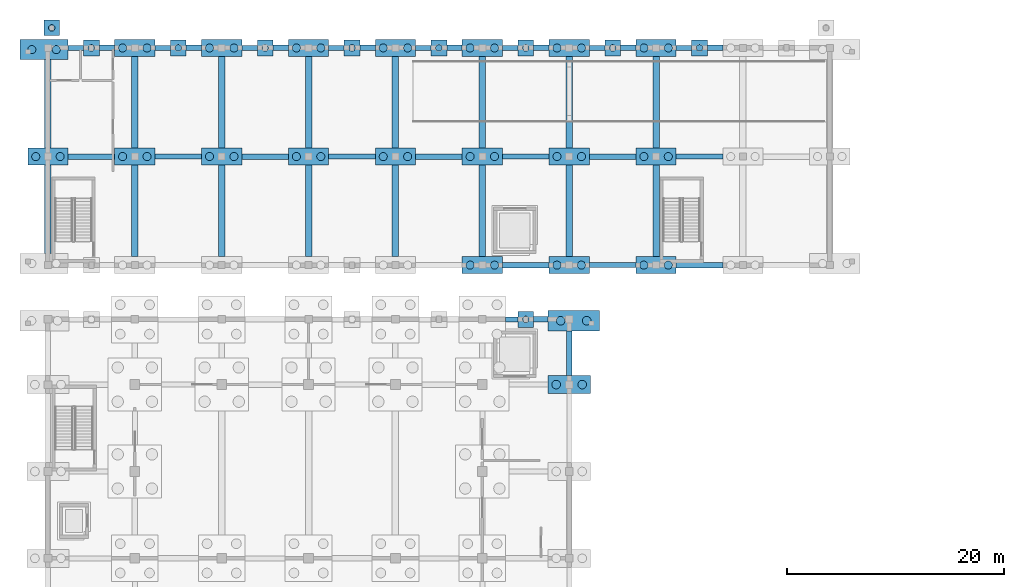
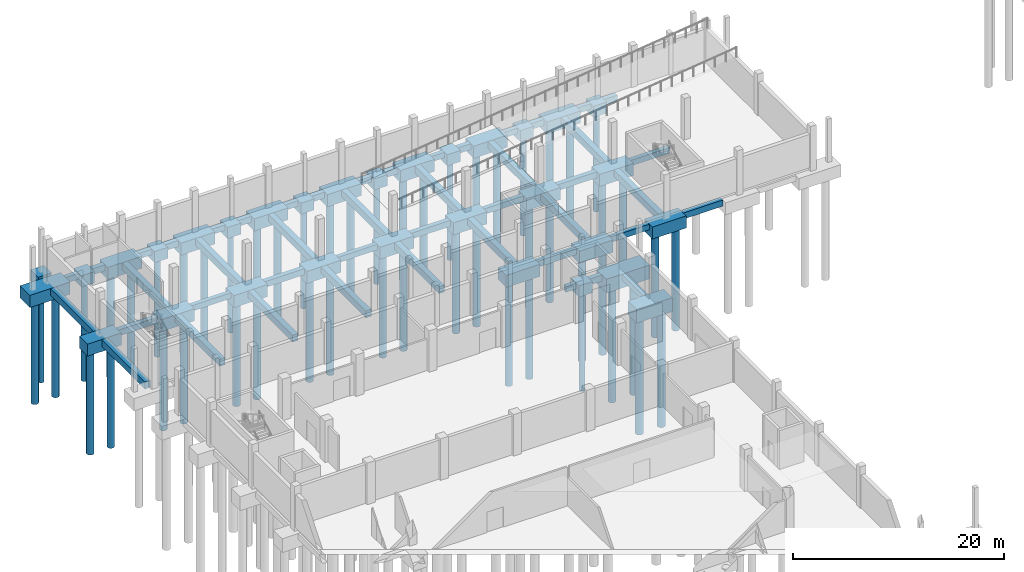
# One storey, part 7 of 52: 77 footings, 52 piles.
"""IFC4 building model written with IfcOpenShell, lengths in metres."""

from ifc_helpers import new_model, si_unit, direction, frame, origin, origin_2d, place, context, subcontext, project, spatial, polyline, rectangle, circle, outline, extrude, material, material_profile, profile_set, type_object, element, save


model = new_model("IFC4")

# Units and contexts
model_context = context("Model", 3, precision=1e-05, world=origin(), true_north=direction((0.0, 1.0)))
body_context = subcontext(model_context, "Body", "Model", "MODEL_VIEW")
ifc_project = project(units=[si_unit("LENGTHUNIT", "METRE"), si_unit("AREAUNIT", "SQUARE_METRE"), si_unit("VOLUMEUNIT", "CUBIC_METRE"), si_unit("PLANEANGLEUNIT", "RADIAN"), si_unit("MASSUNIT", "GRAM", prefix="KILO")], contexts=[model_context])

# Site, building, storey
site_placement = place(None, origin())
site = spatial("IfcSite", under=ifc_project, at=site_placement, CompositionType="ELEMENT")
building_placement = place(site_placement, origin())
building = spatial("IfcBuilding", under=site, at=building_placement, Name="Luwemba Playhouse", CompositionType="ELEMENT")
storey_placement = place(building_placement, frame((0.0, 0.0, -4.800048828125)))
storey = spatial("IfcBuildingStorey", under=building, at=storey_placement, Name="B1", CompositionType="ELEMENT", Elevation=-4.800048828125)

# Footings
ifc_material = material(Name="Concrete C32/40", Category="concrete")
ifc_material_profile_1 = material_profile(ifc_material, rectangle(XDim=0.449951171875, YDim=0.64990234375, at=origin_2d()))
ifc_profile_set_1 = profile_set([ifc_material_profile_1], Name="Concrete C32/40")
footing_type_1 = type_object("IfcFootingType", Name="FTBM-GB1", PredefinedType="FOOTING_BEAM", material=ifc_profile_set_1)
footing_1_placement = place(storey_placement, frame((46.14990234375, 90.0, -0.704833984375), z_axis=(1.0, 0.0, 0.0), x_axis=(0.0, 1.0, 0.0)))
element("IfcFooting", 1, at=footing_1_placement, inside=storey, type_object=footing_type_1, Name="Ground tie-beam 179", PredefinedType="FOOTING_BEAM", context=body_context, shape_type="SweptSolid", body=[
    extrude(rectangle(XDim=0.449951171875, YDim=0.64990234375, at=origin_2d()), origin(), (0.0, 0.0, 1.0), 1.125),
])
for number, where, z_axis, x_axis, name in (
    (2, (53.85009765625, 95.0, -0.704833984375), (1.0, 0.0, 0.0), (0.0, 1.0, 0.0), "Ground tie-beam 199"),
    (3, (13.85009765625, 105.0, -0.704833984375), (1.0, 0.0, 0.0), (0.0, 1.0, 0.0), "Ground tie-beam 219"),
    (4, (29.85009765625, 105.0, -0.704833984375), (1.0, 0.0, 0.0), (0.0, 1.0, 0.0), "Ground tie-beam 221"),
    (5, (45.85009765625, 105.0, -0.704833984375), (1.0, 0.0, 0.0), (0.0, 1.0, 0.0), "Ground tie-beam 223"),
    (6, (61.85009765625, 105.0, -0.704833984375), (1.0, 0.0, 0.0), (0.0, 1.0, 0.0), "Ground tie-beam 225"),
):
    element("IfcFooting", number, at=place(storey_placement, frame(where, z_axis=z_axis, x_axis=x_axis)), inside=storey, type_object=footing_type_1, Name=name, PredefinedType="FOOTING_BEAM", context=body_context, shape_type="SweptSolid", body=[
        extrude(rectangle(XDim=0.449951171875, YDim=0.64990234375, at=origin_2d()), origin(), (0.0, 0.0, 1.0), 4.2998046875),
    ])
for number, where, z_axis, x_axis, name in (
    (7, (5.85009765625, 115.0, -0.704833984375), (1.0, 0.0, 0.0), (0.0, 1.0, 0.0), "Ground tie-beam 235"),
    (8, (13.85009765625, 115.0, -0.704833984375), (1.0, 0.0, 0.0), (0.0, 1.0, 0.0), "Ground tie-beam 237"),
    (9, (21.85009765625, 115.0, -0.704833984375), (1.0, 0.0, 0.0), (0.0, 1.0, 0.0), "Ground tie-beam 239"),
    (10, (29.85009765625, 115.0, -0.704833984375), (1.0, 0.0, 0.0), (0.0, 1.0, 0.0), "Ground tie-beam 241"),
    (11, (37.85009765625, 115.0, -0.704833984375), (1.0, 0.0, 0.0), (0.0, 1.0, 0.0), "Ground tie-beam 243"),
    (12, (45.85009765625, 115.0, -0.704833984375), (1.0, 0.0, 0.0), (0.0, 1.0, 0.0), "Ground tie-beam 245"),
    (13, (53.85009765625, 115.0, -0.704833984375), (1.0, 0.0, 0.0), (0.0, 1.0, 0.0), "Ground tie-beam 247"),
    (14, (61.85009765625, 115.0, -0.704833984375), (1.0, 0.0, 0.0), (0.0, 1.0, 0.0), "Ground tie-beam 249"),
):
    element("IfcFooting", number, at=place(storey_placement, frame(where, z_axis=z_axis, x_axis=x_axis)), inside=storey, type_object=footing_type_1, Name=name, PredefinedType="FOOTING_BEAM", context=body_context, shape_type="SweptSolid", body=[
        extrude(rectangle(XDim=0.449951171875, YDim=0.64990234375, at=origin_2d()), origin(), (0.0, 0.0, 1.0), 1.4248046875),
    ])
ifc_material_profile_2 = material_profile(ifc_material, rectangle(XDim=0.5, YDim=0.699951171875, at=origin_2d()))
ifc_profile_set_2 = profile_set([ifc_material_profile_2], Name="Concrete C32/40")
footing_type_2 = type_object("IfcFootingType", Name="FTBM-GB2", PredefinedType="FOOTING_BEAM", material=ifc_profile_set_2)
footing_2_placement = place(storey_placement, frame((48.72509765625, 90.0, -0.72998046875), z_axis=(1.0, 0.0, 0.0), x_axis=(0.0, 1.0, 0.0)))
element("IfcFooting", 15, at=footing_2_placement, inside=storey, type_object=footing_type_2, Name="Ground tie-beam 180", PredefinedType="FOOTING_BEAM", context=body_context, shape_type="SweptSolid", body=[
    extrude(rectangle(XDim=0.5, YDim=0.699951171875, at=origin_2d()), origin(), (0.0, 0.0, 1.0), 1.324951171875),
])
for number, where, z_axis, x_axis, name in (
    (16, (45.85009765625, 95.0, -0.72998046875), (1.0, 0.0, 0.0), (0.0, 1.0, 0.0), "Ground tie-beam 198"),
    (17, (61.85009765625, 95.0, -0.72998046875), (1.0, 0.0, 0.0), (0.0, 1.0, 0.0), "Ground tie-beam 200"),
    (18, (5.85009765625, 105.0, -0.72998046875), (1.0, 0.0, 0.0), (0.0, 1.0, 0.0), "Ground tie-beam 218"),
    (19, (21.85009765625, 105.0, -0.72998046875), (1.0, 0.0, 0.0), (0.0, 1.0, 0.0), "Ground tie-beam 220"),
    (20, (37.85009765625, 105.0, -0.72998046875), (1.0, 0.0, 0.0), (0.0, 1.0, 0.0), "Ground tie-beam 222"),
    (21, (53.85009765625, 105.0, -0.72998046875), (1.0, 0.0, 0.0), (0.0, 1.0, 0.0), "Ground tie-beam 224"),
):
    element("IfcFooting", number, at=place(storey_placement, frame(where, z_axis=z_axis, x_axis=x_axis)), inside=storey, type_object=footing_type_2, Name=name, PredefinedType="FOOTING_BEAM", context=body_context, shape_type="SweptSolid", body=[
        extrude(rectangle(XDim=0.5, YDim=0.699951171875, at=origin_2d()), origin(), (0.0, 0.0, 1.0), 4.2998046875),
    ])
for number, where, z_axis, x_axis, name in (
    (22, (8.72509765625, 115.0, -0.72998046875), (1.0, 0.0, 0.0), (0.0, 1.0, 0.0), "Ground tie-beam 236"),
    (23, (16.72509765625, 115.0, -0.72998046875), (1.0, 0.0, 0.0), (0.0, 1.0, 0.0), "Ground tie-beam 238"),
    (24, (24.72509765625, 115.0, -0.72998046875), (1.0, 0.0, 0.0), (0.0, 1.0, 0.0), "Ground tie-beam 240"),
    (25, (32.72509765625, 115.0, -0.72998046875), (1.0, 0.0, 0.0), (0.0, 1.0, 0.0), "Ground tie-beam 242"),
    (26, (40.72509765625, 115.0, -0.72998046875), (1.0, 0.0, 0.0), (0.0, 1.0, 0.0), "Ground tie-beam 244"),
    (27, (48.72509765625, 115.0, -0.72998046875), (1.0, 0.0, 0.0), (0.0, 1.0, 0.0), "Ground tie-beam 246"),
    (28, (56.72509765625, 115.0, -0.72998046875), (1.0, 0.0, 0.0), (0.0, 1.0, 0.0), "Ground tie-beam 248"),
    (29, (64.72509765625, 115.0, -0.72998046875), (1.0, 0.0, 0.0), (0.0, 1.0, 0.0), "Ground tie-beam 250"),
):
    element("IfcFooting", number, at=place(storey_placement, frame(where, z_axis=z_axis, x_axis=x_axis)), inside=storey, type_object=footing_type_2, Name=name, PredefinedType="FOOTING_BEAM", context=body_context, shape_type="SweptSolid", body=[
        extrude(rectangle(XDim=0.5, YDim=0.699951171875, at=origin_2d()), origin(), (0.0, 0.0, 1.0), 1.4248046875),
    ])
footing_3_placement = place(storey_placement, frame((52.0, 84.824951171875, -0.72998046875), z_axis=(0.0, 1.0, 0.0), x_axis=(-1.0, 0.0, 0.0)))
element("IfcFooting", 30, at=footing_3_placement, inside=storey, type_object=footing_type_2, Name="Ground tie-beam 338", PredefinedType="FOOTING_BEAM", context=body_context, shape_type="SweptSolid", body=[
    extrude(rectangle(XDim=0.5, YDim=0.699951171875, at=origin_2d()), origin(), (0.0, 0.0, 1.0), 4.10009765625),
])
ifc_material_profile_3 = material_profile(ifc_material, rectangle(XDim=0.60009765625, YDim=0.800048828125, at=origin_2d()))
ifc_profile_set_3 = profile_set([ifc_material_profile_3], Name="Concrete C32/40")
footing_type_3 = type_object("IfcFootingType", Name="FTBM-GB3", PredefinedType="FOOTING_BEAM", material=ifc_profile_set_3)
for number, where, z_axis, x_axis, name in (
    (31, (4.0, 96.074951171875, -0.780029296875), (0.0, 1.0, 0.0), (-1.0, 0.0, 0.0), "Ground tie-beam 279"),
    (32, (4.0, 105.77490234375, -0.780029296875), (0.0, 1.0, 0.0), (-1.0, 0.0, 0.0), "Ground tie-beam 280"),
):
    element("IfcFooting", number, at=place(storey_placement, frame(where, z_axis=z_axis, x_axis=x_axis)), inside=storey, type_object=footing_type_3, Name=name, PredefinedType="FOOTING_BEAM", context=body_context, shape_type="SweptSolid", body=[
        extrude(rectangle(XDim=0.60009765625, YDim=0.800048828125, at=origin_2d()), origin(), (0.0, 0.0, 1.0), 8.150146484375),
    ])
for number, where, z_axis, x_axis, name in (
    (33, (12.0, 95.77490234375, -0.780029296875), (0.0, 1.0, 0.0), (-1.0, 0.0, 0.0), "Ground tie-beam 291"),
    (34, (12.0, 105.77490234375, -0.780029296875), (0.0, 1.0, 0.0), (-1.0, 0.0, 0.0), "Ground tie-beam 292"),
    (35, (20.0, 95.77490234375, -0.780029296875), (0.0, 1.0, 0.0), (-1.0, 0.0, 0.0), "Ground tie-beam 299"),
    (36, (20.0, 105.77490234375, -0.780029296875), (0.0, 1.0, 0.0), (-1.0, 0.0, 0.0), "Ground tie-beam 300"),
    (37, (28.0, 95.77490234375, -0.780029296875), (0.0, 1.0, 0.0), (-1.0, 0.0, 0.0), "Ground tie-beam 307"),
    (38, (28.0, 105.77490234375, -0.780029296875), (0.0, 1.0, 0.0), (-1.0, 0.0, 0.0), "Ground tie-beam 308"),
    (39, (36.0, 95.77490234375, -0.780029296875), (0.0, 1.0, 0.0), (-1.0, 0.0, 0.0), "Ground tie-beam 315"),
    (40, (36.0, 105.77490234375, -0.780029296875), (0.0, 1.0, 0.0), (-1.0, 0.0, 0.0), "Ground tie-beam 316"),
    (41, (44.0, 95.77490234375, -0.780029296875), (0.0, 1.0, 0.0), (-1.0, 0.0, 0.0), "Ground tie-beam 327"),
    (42, (44.0, 105.77490234375, -0.780029296875), (0.0, 1.0, 0.0), (-1.0, 0.0, 0.0), "Ground tie-beam 328"),
    (43, (52.0, 95.77490234375, -0.780029296875), (0.0, 1.0, 0.0), (-1.0, 0.0, 0.0), "Ground tie-beam 339"),
    (44, (52.0, 105.77490234375, -0.780029296875), (0.0, 1.0, 0.0), (-1.0, 0.0, 0.0), "Ground tie-beam 340"),
    (45, (60.0, 95.77490234375, -0.780029296875), (0.0, 1.0, 0.0), (-1.0, 0.0, 0.0), "Ground tie-beam 344"),
    (46, (60.0, 105.77490234375, -0.780029296875), (0.0, 1.0, 0.0), (-1.0, 0.0, 0.0), "Ground tie-beam 345"),
):
    element("IfcFooting", number, at=place(storey_placement, frame(where, z_axis=z_axis, x_axis=x_axis)), inside=storey, type_object=footing_type_3, Name=name, PredefinedType="FOOTING_BEAM", context=body_context, shape_type="SweptSolid", body=[
        extrude(rectangle(XDim=0.60009765625, YDim=0.800048828125, at=origin_2d()), origin(), (0.0, 0.0, 1.0), 8.4501953125),
    ])
footing_type_4 = type_object("IfcFootingType", Name="FTG-PC02", PredefinedType="PILE_CAP", material=ifc_material)
footing_4_placement = place(storey_placement, frame((0.0, 0.0, -1.679931640625)))
element("IfcFooting", 47, at=footing_4_placement, inside=storey, type_object=footing_type_4, Name="Pile cap 250", PredefinedType="PILE_CAP", context=body_context, shape_type="SweptSolid", body=[
    extrude(outline(polyline([(47.27490234375, 89.27490234375), (48.72509765625, 89.27490234375), (48.72509765625, 90.72509765625), (47.27490234375, 90.72509765625), (47.27490234375, 89.27490234375)])), origin(), (0.0, 0.0, 1.0), 1.300048828125),
])
footing_5_placement = place(storey_placement, frame((0.0, 0.0, -1.679931640625)))
element("IfcFooting", 48, at=footing_5_placement, inside=storey, type_object=footing_type_4, Name="Pile cap 324", PredefinedType="PILE_CAP", context=body_context, shape_type="SweptSolid", body=[
    extrude(outline(polyline([(7.27490234375, 114.27490234375), (8.72509765625, 114.27490234375), (8.72509765625, 115.72509765625), (7.27490234375, 115.72509765625), (7.27490234375, 114.27490234375)])), origin(), (0.0, 0.0, 1.0), 1.300048828125),
])
footing_6_placement = place(storey_placement, frame((0.0, 0.0, -1.679931640625)))
element("IfcFooting", 49, at=footing_6_placement, inside=storey, type_object=footing_type_4, Name="Pile cap 325", PredefinedType="PILE_CAP", context=body_context, shape_type="SweptSolid", body=[
    extrude(outline(polyline([(15.27490234375, 114.27490234375), (16.72509765625, 114.27490234375), (16.72509765625, 115.72509765625), (15.27490234375, 115.72509765625), (15.27490234375, 114.27490234375)])), origin(), (0.0, 0.0, 1.0), 1.300048828125),
])
footing_7_placement = place(storey_placement, frame((0.0, 0.0, -1.679931640625)))
element("IfcFooting", 50, at=footing_7_placement, inside=storey, type_object=footing_type_4, Name="Pile cap 326", PredefinedType="PILE_CAP", context=body_context, shape_type="SweptSolid", body=[
    extrude(outline(polyline([(23.27490234375, 114.27490234375), (24.72509765625, 114.27490234375), (24.72509765625, 115.72509765625), (23.27490234375, 115.72509765625), (23.27490234375, 114.27490234375)])), origin(), (0.0, 0.0, 1.0), 1.300048828125),
])
footing_8_placement = place(storey_placement, frame((0.0, 0.0, -1.679931640625)))
element("IfcFooting", 51, at=footing_8_placement, inside=storey, type_object=footing_type_4, Name="Pile cap 327", PredefinedType="PILE_CAP", context=body_context, shape_type="SweptSolid", body=[
    extrude(outline(polyline([(31.27490234375, 114.27490234375), (32.72509765625, 114.27490234375), (32.72509765625, 115.72509765625), (31.27490234375, 115.72509765625), (31.27490234375, 114.27490234375)])), origin(), (0.0, 0.0, 1.0), 1.300048828125),
])
footing_9_placement = place(storey_placement, frame((0.0, 0.0, -1.679931640625)))
element("IfcFooting", 52, at=footing_9_placement, inside=storey, type_object=footing_type_4, Name="Pile cap 328", PredefinedType="PILE_CAP", context=body_context, shape_type="SweptSolid", body=[
    extrude(outline(polyline([(39.27490234375, 114.27490234375), (40.72509765625, 114.27490234375), (40.72509765625, 115.72509765625), (39.27490234375, 115.72509765625), (39.27490234375, 114.27490234375)])), origin(), (0.0, 0.0, 1.0), 1.300048828125),
])
footing_10_placement = place(storey_placement, frame((0.0, 0.0, -1.679931640625)))
element("IfcFooting", 53, at=footing_10_placement, inside=storey, type_object=footing_type_4, Name="Pile cap 329", PredefinedType="PILE_CAP", context=body_context, shape_type="SweptSolid", body=[
    extrude(outline(polyline([(47.27490234375, 114.27490234375), (48.72509765625, 114.27490234375), (48.72509765625, 115.72509765625), (47.27490234375, 115.72509765625), (47.27490234375, 114.27490234375)])), origin(), (0.0, 0.0, 1.0), 1.300048828125),
])
footing_11_placement = place(storey_placement, frame((0.0, 0.0, -1.679931640625)))
element("IfcFooting", 54, at=footing_11_placement, inside=storey, type_object=footing_type_4, Name="Pile cap 330", PredefinedType="PILE_CAP", context=body_context, shape_type="SweptSolid", body=[
    extrude(outline(polyline([(55.27490234375, 114.27490234375), (56.72509765625, 114.27490234375), (56.72509765625, 115.72509765625), (55.27490234375, 115.72509765625), (55.27490234375, 114.27490234375)])), origin(), (0.0, 0.0, 1.0), 1.300048828125),
])
footing_12_placement = place(storey_placement, frame((0.0, 0.0, -1.679931640625)))
element("IfcFooting", 55, at=footing_12_placement, inside=storey, type_object=footing_type_4, Name="Pile cap 331", PredefinedType="PILE_CAP", context=body_context, shape_type="SweptSolid", body=[
    extrude(outline(polyline([(63.27490234375, 114.27490234375), (64.72509765625, 114.27490234375), (64.72509765625, 115.72509765625), (63.27490234375, 115.72509765625), (63.27490234375, 114.27490234375)])), origin(), (0.0, 0.0, 1.0), 1.300048828125),
])
footing_13_placement = place(storey_placement, frame((0.0, 0.0, -1.679931640625)))
element("IfcFooting", 56, at=footing_13_placement, inside=storey, type_object=footing_type_4, Name="Pile cap 341", PredefinedType="PILE_CAP", context=body_context, shape_type="SweptSolid", body=[
    extrude(outline(polyline([(3.625, 116.125), (5.074951171875, 116.125), (5.074951171875, 117.574951171875), (3.625, 117.574951171875), (3.625, 116.125)])), origin(), (0.0, 0.0, 1.0), 1.300048828125),
])
footing_type_5 = type_object("IfcFootingType", Name="FTG-PC04", PredefinedType="PILE_CAP", material=ifc_material)
footing_14_placement = place(storey_placement, frame((0.0, 0.0, -1.97998046875)))
element("IfcFooting", 57, at=footing_14_placement, inside=storey, type_object=footing_type_5, Name="Pile cap 229", PredefinedType="PILE_CAP", context=body_context, shape_type="SweptSolid", body=[
    extrude(outline(polyline([(50.050048828125, 83.175048828125), (53.949951171875, 83.175048828125), (53.949951171875, 84.824951171875), (50.050048828125, 84.824951171875), (50.050048828125, 83.175048828125)])), origin(), (0.0, 0.0, 1.0), 1.60009765625),
])
footing_type_6 = type_object("IfcFootingType", Name="FTG-PC05", PredefinedType="PILE_CAP", material=ifc_material)
footing_15_placement = place(storey_placement, frame((0.0, 0.0, -1.780029296875)))
element("IfcFooting", 58, at=footing_15_placement, inside=storey, type_object=footing_type_6, Name="Pile cap 270", PredefinedType="PILE_CAP", context=body_context, shape_type="SweptSolid", body=[
    extrude(outline(polyline([(42.14990234375, 94.22509765625), (45.85009765625, 94.22509765625), (45.85009765625, 95.77490234375), (42.14990234375, 95.77490234375), (42.14990234375, 94.22509765625)])), origin(), (0.0, 0.0, 1.0), 1.400146484375),
])
footing_16_placement = place(storey_placement, frame((0.0, 0.0, -1.780029296875)))
element("IfcFooting", 59, at=footing_16_placement, inside=storey, type_object=footing_type_6, Name="Pile cap 271", PredefinedType="PILE_CAP", context=body_context, shape_type="SweptSolid", body=[
    extrude(outline(polyline([(50.14990234375, 94.22509765625), (53.85009765625, 94.22509765625), (53.85009765625, 95.77490234375), (50.14990234375, 95.77490234375), (50.14990234375, 94.22509765625)])), origin(), (0.0, 0.0, 1.0), 1.400146484375),
])
footing_17_placement = place(storey_placement, frame((0.0, 0.0, -1.780029296875)))
element("IfcFooting", 60, at=footing_17_placement, inside=storey, type_object=footing_type_6, Name="Pile cap 272", PredefinedType="PILE_CAP", context=body_context, shape_type="SweptSolid", body=[
    extrude(outline(polyline([(58.14990234375, 94.22509765625), (61.85009765625, 94.22509765625), (61.85009765625, 95.77490234375), (58.14990234375, 95.77490234375), (58.14990234375, 94.22509765625)])), origin(), (0.0, 0.0, 1.0), 1.400146484375),
])
footing_18_placement = place(storey_placement, frame((0.0, 0.0, -1.780029296875)))
element("IfcFooting", 61, at=footing_18_placement, inside=storey, type_object=footing_type_6, Name="Pile cap 292", PredefinedType="PILE_CAP", context=body_context, shape_type="SweptSolid", body=[
    extrude(outline(polyline([(2.14990234375, 104.22509765625), (5.85009765625, 104.22509765625), (5.85009765625, 105.77490234375), (2.14990234375, 105.77490234375), (2.14990234375, 104.22509765625)])), origin(), (0.0, 0.0, 1.0), 1.400146484375),
])
footing_19_placement = place(storey_placement, frame((0.0, 0.0, -1.780029296875)))
element("IfcFooting", 62, at=footing_19_placement, inside=storey, type_object=footing_type_6, Name="Pile cap 293", PredefinedType="PILE_CAP", context=body_context, shape_type="SweptSolid", body=[
    extrude(outline(polyline([(10.14990234375, 104.22509765625), (13.85009765625, 104.22509765625), (13.85009765625, 105.77490234375), (10.14990234375, 105.77490234375), (10.14990234375, 104.22509765625)])), origin(), (0.0, 0.0, 1.0), 1.400146484375),
])
footing_20_placement = place(storey_placement, frame((0.0, 0.0, -1.780029296875)))
element("IfcFooting", 63, at=footing_20_placement, inside=storey, type_object=footing_type_6, Name="Pile cap 294", PredefinedType="PILE_CAP", context=body_context, shape_type="SweptSolid", body=[
    extrude(outline(polyline([(18.14990234375, 104.22509765625), (21.85009765625, 104.22509765625), (21.85009765625, 105.77490234375), (18.14990234375, 105.77490234375), (18.14990234375, 104.22509765625)])), origin(), (0.0, 0.0, 1.0), 1.400146484375),
])
footing_21_placement = place(storey_placement, frame((0.0, 0.0, -1.780029296875)))
element("IfcFooting", 64, at=footing_21_placement, inside=storey, type_object=footing_type_6, Name="Pile cap 295", PredefinedType="PILE_CAP", context=body_context, shape_type="SweptSolid", body=[
    extrude(outline(polyline([(26.14990234375, 104.22509765625), (29.85009765625, 104.22509765625), (29.85009765625, 105.77490234375), (26.14990234375, 105.77490234375), (26.14990234375, 104.22509765625)])), origin(), (0.0, 0.0, 1.0), 1.400146484375),
])
footing_22_placement = place(storey_placement, frame((0.0, 0.0, -1.780029296875)))
element("IfcFooting", 65, at=footing_22_placement, inside=storey, type_object=footing_type_6, Name="Pile cap 296", PredefinedType="PILE_CAP", context=body_context, shape_type="SweptSolid", body=[
    extrude(outline(polyline([(34.14990234375, 104.22509765625), (37.85009765625, 104.22509765625), (37.85009765625, 105.77490234375), (34.14990234375, 105.77490234375), (34.14990234375, 104.22509765625)])), origin(), (0.0, 0.0, 1.0), 1.400146484375),
])
footing_23_placement = place(storey_placement, frame((0.0, 0.0, -1.780029296875)))
element("IfcFooting", 66, at=footing_23_placement, inside=storey, type_object=footing_type_6, Name="Pile cap 297", PredefinedType="PILE_CAP", context=body_context, shape_type="SweptSolid", body=[
    extrude(outline(polyline([(42.14990234375, 104.22509765625), (45.85009765625, 104.22509765625), (45.85009765625, 105.77490234375), (42.14990234375, 105.77490234375), (42.14990234375, 104.22509765625)])), origin(), (0.0, 0.0, 1.0), 1.400146484375),
])
footing_24_placement = place(storey_placement, frame((0.0, 0.0, -1.780029296875)))
element("IfcFooting", 67, at=footing_24_placement, inside=storey, type_object=footing_type_6, Name="Pile cap 298", PredefinedType="PILE_CAP", context=body_context, shape_type="SweptSolid", body=[
    extrude(outline(polyline([(50.14990234375, 104.22509765625), (53.85009765625, 104.22509765625), (53.85009765625, 105.77490234375), (50.14990234375, 105.77490234375), (50.14990234375, 104.22509765625)])), origin(), (0.0, 0.0, 1.0), 1.400146484375),
])
footing_25_placement = place(storey_placement, frame((0.0, 0.0, -1.780029296875)))
element("IfcFooting", 68, at=footing_25_placement, inside=storey, type_object=footing_type_6, Name="Pile cap 299", PredefinedType="PILE_CAP", context=body_context, shape_type="SweptSolid", body=[
    extrude(outline(polyline([(58.14990234375, 104.22509765625), (61.85009765625, 104.22509765625), (61.85009765625, 105.77490234375), (58.14990234375, 105.77490234375), (58.14990234375, 104.22509765625)])), origin(), (0.0, 0.0, 1.0), 1.400146484375),
])
footing_26_placement = place(storey_placement, frame((0.0, 0.0, -1.780029296875)))
element("IfcFooting", 69, at=footing_26_placement, inside=storey, type_object=footing_type_6, Name="Pile cap 315", PredefinedType="PILE_CAP", context=body_context, shape_type="SweptSolid", body=[
    extrude(outline(polyline([(10.14990234375, 114.22509765625), (13.85009765625, 114.22509765625), (13.85009765625, 115.77490234375), (10.14990234375, 115.77490234375), (10.14990234375, 114.22509765625)])), origin(), (0.0, 0.0, 1.0), 1.400146484375),
])
footing_27_placement = place(storey_placement, frame((0.0, 0.0, -1.780029296875)))
element("IfcFooting", 70, at=footing_27_placement, inside=storey, type_object=footing_type_6, Name="Pile cap 316", PredefinedType="PILE_CAP", context=body_context, shape_type="SweptSolid", body=[
    extrude(outline(polyline([(18.14990234375, 114.22509765625), (21.85009765625, 114.22509765625), (21.85009765625, 115.77490234375), (18.14990234375, 115.77490234375), (18.14990234375, 114.22509765625)])), origin(), (0.0, 0.0, 1.0), 1.400146484375),
])
footing_28_placement = place(storey_placement, frame((0.0, 0.0, -1.780029296875)))
element("IfcFooting", 71, at=footing_28_placement, inside=storey, type_object=footing_type_6, Name="Pile cap 317", PredefinedType="PILE_CAP", context=body_context, shape_type="SweptSolid", body=[
    extrude(outline(polyline([(26.14990234375, 114.22509765625), (29.85009765625, 114.22509765625), (29.85009765625, 115.77490234375), (26.14990234375, 115.77490234375), (26.14990234375, 114.22509765625)])), origin(), (0.0, 0.0, 1.0), 1.400146484375),
])
footing_29_placement = place(storey_placement, frame((0.0, 0.0, -1.780029296875)))
element("IfcFooting", 72, at=footing_29_placement, inside=storey, type_object=footing_type_6, Name="Pile cap 318", PredefinedType="PILE_CAP", context=body_context, shape_type="SweptSolid", body=[
    extrude(outline(polyline([(34.14990234375, 114.22509765625), (37.85009765625, 114.22509765625), (37.85009765625, 115.77490234375), (34.14990234375, 115.77490234375), (34.14990234375, 114.22509765625)])), origin(), (0.0, 0.0, 1.0), 1.400146484375),
])
footing_30_placement = place(storey_placement, frame((0.0, 0.0, -1.780029296875)))
element("IfcFooting", 73, at=footing_30_placement, inside=storey, type_object=footing_type_6, Name="Pile cap 319", PredefinedType="PILE_CAP", context=body_context, shape_type="SweptSolid", body=[
    extrude(outline(polyline([(42.14990234375, 114.22509765625), (45.85009765625, 114.22509765625), (45.85009765625, 115.77490234375), (42.14990234375, 115.77490234375), (42.14990234375, 114.22509765625)])), origin(), (0.0, 0.0, 1.0), 1.400146484375),
])
footing_31_placement = place(storey_placement, frame((0.0, 0.0, -1.780029296875)))
element("IfcFooting", 74, at=footing_31_placement, inside=storey, type_object=footing_type_6, Name="Pile cap 320", PredefinedType="PILE_CAP", context=body_context, shape_type="SweptSolid", body=[
    extrude(outline(polyline([(50.14990234375, 114.22509765625), (53.85009765625, 114.22509765625), (53.85009765625, 115.77490234375), (50.14990234375, 115.77490234375), (50.14990234375, 114.22509765625)])), origin(), (0.0, 0.0, 1.0), 1.400146484375),
])
footing_32_placement = place(storey_placement, frame((0.0, 0.0, -1.780029296875)))
element("IfcFooting", 75, at=footing_32_placement, inside=storey, type_object=footing_type_6, Name="Pile cap 321", PredefinedType="PILE_CAP", context=body_context, shape_type="SweptSolid", body=[
    extrude(outline(polyline([(58.14990234375, 114.22509765625), (61.85009765625, 114.22509765625), (61.85009765625, 115.77490234375), (58.14990234375, 115.77490234375), (58.14990234375, 114.22509765625)])), origin(), (0.0, 0.0, 1.0), 1.400146484375),
])
footing_type_7 = type_object("IfcFootingType", Name="FTG-PC06", PredefinedType="PILE_CAP", material=ifc_material)
footing_33_placement = place(storey_placement, frame((0.0, 0.0, -1.780029296875)))
element("IfcFooting", 76, at=footing_33_placement, inside=storey, type_object=footing_type_7, Name="Pile cap 312", PredefinedType="PILE_CAP", context=body_context, shape_type="SweptSolid", body=[
    extrude(outline(polyline([(1.425048828125, 113.925048828125), (5.85009765625, 113.925048828125), (5.85009765625, 115.77490234375), (1.425048828125, 115.77490234375), (1.425048828125, 113.925048828125)])), origin(), (0.0, 0.0, 1.0), 1.400146484375),
])
footing_type_8 = type_object("IfcFootingType", Name="FTG-PC23", PredefinedType="PILE_CAP", material=ifc_material)
footing_34_placement = place(storey_placement, frame((0.0, 0.0, -1.97998046875)))
element("IfcFooting", 77, at=footing_34_placement, inside=storey, type_object=footing_type_8, Name="Pile cap 242", PredefinedType="PILE_CAP", context=body_context, shape_type="SweptSolid", body=[
    extrude(outline(polyline([(50.050048828125, 88.925048828125), (54.77490234375, 88.925048828125), (54.77490234375, 90.824951171875), (50.050048828125, 90.824951171875), (50.050048828125, 88.925048828125)])), origin(), (0.0, 0.0, 1.0), 1.60009765625),
])

# Piles
ifc_material_profile_4 = material_profile(ifc_material, circle(Radius=0.300048828125, at=origin_2d()))
ifc_profile_set_4 = profile_set([ifc_material_profile_4], Name="Concrete C32/40")
pile_type_1 = type_object("IfcPileType", Name="PILE-BP1", PredefinedType="BORED", material=ifc_profile_set_4)
for number, where, z_axis, x_axis, name in (
    (78, (48.0, 90.0, -1.579833984375), (0.0, 0.0, -1.0), (1.0, 0.0, 0.0), "Bored pile 451"),
    (79, (8.0, 115.0, -1.579833984375), (0.0, 0.0, -1.0), (1.0, 0.0, 0.0), "Bored pile 618"),
    (80, (16.0, 115.0, -1.579833984375), (0.0, 0.0, -1.0), (1.0, 0.0, 0.0), "Bored pile 619"),
    (81, (24.0, 115.0, -1.579833984375), (0.0, 0.0, -1.0), (1.0, 0.0, 0.0), "Bored pile 620"),
    (82, (32.0, 115.0, -1.579833984375), (0.0, 0.0, -1.0), (1.0, 0.0, 0.0), "Bored pile 621"),
    (83, (40.0, 115.0, -1.579833984375), (0.0, 0.0, -1.0), (1.0, 0.0, 0.0), "Bored pile 622"),
    (84, (48.0, 115.0, -1.579833984375), (0.0, 0.0, -1.0), (1.0, 0.0, 0.0), "Bored pile 623"),
    (85, (56.0, 115.0, -1.579833984375), (0.0, 0.0, -1.0), (1.0, 0.0, 0.0), "Bored pile 624"),
    (86, (64.0, 115.0, -1.579833984375), (0.0, 0.0, -1.0), (1.0, 0.0, 0.0), "Bored pile 625"),
    (87, (4.35009765625, 116.85009765625, -1.579833984375), (0.0, 0.0, -1.0), (1.0, 0.0, 0.0), "Bored pile 635"),
):
    element("IfcPile", number, at=place(storey_placement, frame(where, z_axis=z_axis, x_axis=x_axis)), inside=storey, type_object=pile_type_1, Name=name, PredefinedType="BORED", context=body_context, shape_type="SweptSolid", body=[
        extrude(circle(Radius=0.300048828125, at=origin_2d()), origin(), (0.0, 0.0, 1.0), 11.5),
    ])
ifc_material_profile_5 = material_profile(ifc_material, circle(Radius=0.375, at=origin_2d()))
ifc_profile_set_5 = profile_set([ifc_material_profile_5], Name="Concrete C32/40")
pile_type_2 = type_object("IfcPileType", Name="PILE-BP2", PredefinedType="BORED", material=ifc_profile_set_5)
for number, where, z_axis, x_axis, name in (
    (88, (42.875, 95.0, -1.679931640625), (0.0, 0.0, -1.0), (1.0, 0.0, 0.0), "Bored pile 496"),
    (89, (45.125, 95.0, -1.679931640625), (0.0, 0.0, -1.0), (1.0, 0.0, 0.0), "Bored pile 497"),
    (90, (50.875, 95.0, -1.679931640625), (0.0, 0.0, -1.0), (1.0, 0.0, 0.0), "Bored pile 498"),
    (91, (53.125, 95.0, -1.679931640625), (0.0, 0.0, -1.0), (1.0, 0.0, 0.0), "Bored pile 499"),
    (92, (58.875, 95.0, -1.679931640625), (0.0, 0.0, -1.0), (1.0, 0.0, 0.0), "Bored pile 500"),
    (93, (61.125, 95.0, -1.679931640625), (0.0, 0.0, -1.0), (1.0, 0.0, 0.0), "Bored pile 501"),
    (94, (2.875, 105.0, -1.679931640625), (0.0, 0.0, -1.0), (1.0, 0.0, 0.0), "Bored pile 542"),
    (95, (5.125, 105.0, -1.679931640625), (0.0, 0.0, -1.0), (1.0, 0.0, 0.0), "Bored pile 543"),
    (96, (10.875, 105.0, -1.679931640625), (0.0, 0.0, -1.0), (1.0, 0.0, 0.0), "Bored pile 544"),
    (97, (13.125, 105.0, -1.679931640625), (0.0, 0.0, -1.0), (1.0, 0.0, 0.0), "Bored pile 545"),
    (98, (18.875, 105.0, -1.679931640625), (0.0, 0.0, -1.0), (1.0, 0.0, 0.0), "Bored pile 546"),
    (99, (21.125, 105.0, -1.679931640625), (0.0, 0.0, -1.0), (1.0, 0.0, 0.0), "Bored pile 547"),
    (100, (26.875, 105.0, -1.679931640625), (0.0, 0.0, -1.0), (1.0, 0.0, 0.0), "Bored pile 548"),
    (101, (29.125, 105.0, -1.679931640625), (0.0, 0.0, -1.0), (1.0, 0.0, 0.0), "Bored pile 549"),
    (102, (34.875, 105.0, -1.679931640625), (0.0, 0.0, -1.0), (1.0, 0.0, 0.0), "Bored pile 550"),
    (103, (37.125, 105.0, -1.679931640625), (0.0, 0.0, -1.0), (1.0, 0.0, 0.0), "Bored pile 551"),
    (104, (42.875, 105.0, -1.679931640625), (0.0, 0.0, -1.0), (1.0, 0.0, 0.0), "Bored pile 552"),
    (105, (45.125, 105.0, -1.679931640625), (0.0, 0.0, -1.0), (1.0, 0.0, 0.0), "Bored pile 553"),
    (106, (50.875, 105.0, -1.679931640625), (0.0, 0.0, -1.0), (1.0, 0.0, 0.0), "Bored pile 554"),
    (107, (53.125, 105.0, -1.679931640625), (0.0, 0.0, -1.0), (1.0, 0.0, 0.0), "Bored pile 555"),
    (108, (58.875, 105.0, -1.679931640625), (0.0, 0.0, -1.0), (1.0, 0.0, 0.0), "Bored pile 556"),
    (109, (61.125, 105.0, -1.679931640625), (0.0, 0.0, -1.0), (1.0, 0.0, 0.0), "Bored pile 557"),
    (110, (2.512451171875, 114.85009765625, -1.679931640625), (0.0, 0.0, -1.0), (1.0, 0.0, 0.0), "Bored pile 594"),
    (111, (4.762451171875, 114.85009765625, -1.679931640625), (0.0, 0.0, -1.0), (1.0, 0.0, 0.0), "Bored pile 595"),
    (112, (10.875, 115.0, -1.679931640625), (0.0, 0.0, -1.0), (1.0, 0.0, 0.0), "Bored pile 600"),
    (113, (13.125, 115.0, -1.679931640625), (0.0, 0.0, -1.0), (1.0, 0.0, 0.0), "Bored pile 601"),
    (114, (18.875, 115.0, -1.679931640625), (0.0, 0.0, -1.0), (1.0, 0.0, 0.0), "Bored pile 602"),
    (115, (21.125, 115.0, -1.679931640625), (0.0, 0.0, -1.0), (1.0, 0.0, 0.0), "Bored pile 603"),
    (116, (26.875, 115.0, -1.679931640625), (0.0, 0.0, -1.0), (1.0, 0.0, 0.0), "Bored pile 604"),
    (117, (29.125, 115.0, -1.679931640625), (0.0, 0.0, -1.0), (1.0, 0.0, 0.0), "Bored pile 605"),
    (118, (34.875, 115.0, -1.679931640625), (0.0, 0.0, -1.0), (1.0, 0.0, 0.0), "Bored pile 606"),
    (119, (37.125, 115.0, -1.679931640625), (0.0, 0.0, -1.0), (1.0, 0.0, 0.0), "Bored pile 607"),
    (120, (42.875, 115.0, -1.679931640625), (0.0, 0.0, -1.0), (1.0, 0.0, 0.0), "Bored pile 608"),
    (121, (45.125, 115.0, -1.679931640625), (0.0, 0.0, -1.0), (1.0, 0.0, 0.0), "Bored pile 609"),
    (122, (50.875, 115.0, -1.679931640625), (0.0, 0.0, -1.0), (1.0, 0.0, 0.0), "Bored pile 610"),
    (123, (53.125, 115.0, -1.679931640625), (0.0, 0.0, -1.0), (1.0, 0.0, 0.0), "Bored pile 611"),
    (124, (58.875, 115.0, -1.679931640625), (0.0, 0.0, -1.0), (1.0, 0.0, 0.0), "Bored pile 612"),
    (125, (61.125, 115.0, -1.679931640625), (0.0, 0.0, -1.0), (1.0, 0.0, 0.0), "Bored pile 613"),
):
    element("IfcPile", number, at=place(storey_placement, frame(where, z_axis=z_axis, x_axis=x_axis)), inside=storey, type_object=pile_type_2, Name=name, PredefinedType="BORED", context=body_context, shape_type="SweptSolid", body=[
        extrude(circle(Radius=0.375, at=origin_2d()), origin(), (0.0, 0.0, 1.0), 12.0),
    ])
ifc_material_profile_6 = material_profile(ifc_material, circle(Radius=0.39990234375, at=origin_2d()))
ifc_profile_set_6 = profile_set([ifc_material_profile_6], Name="Concrete C32/40")
pile_type_3 = type_object("IfcPileType", Name="PILE-BP3", PredefinedType="BORED", material=ifc_profile_set_6)
for number, where, z_axis, x_axis, name in (
    (126, (50.800048828125, 84.0, -1.8798828125), (0.0, 0.0, -1.0), (1.0, 0.0, 0.0), "Bored pile 403"),
    (127, (53.199951171875, 84.0, -1.8798828125), (0.0, 0.0, -1.0), (1.0, 0.0, 0.0), "Bored pile 404"),
    (128, (51.21240234375, 89.875, -1.8798828125), (0.0, 0.0, -1.0), (1.0, 0.0, 0.0), "Bored pile 439"),
    (129, (53.612548828125, 89.875, -1.8798828125), (0.0, 0.0, -1.0), (1.0, 0.0, 0.0), "Bored pile 440"),
):
    element("IfcPile", number, at=place(storey_placement, frame(where, z_axis=z_axis, x_axis=x_axis)), inside=storey, type_object=pile_type_3, Name=name, PredefinedType="BORED", context=body_context, shape_type="SweptSolid", body=[
        extrude(circle(Radius=0.39990234375, at=origin_2d()), origin(), (0.0, 0.0, 1.0), 13.5),
    ])

save(model, "model.ifc")
